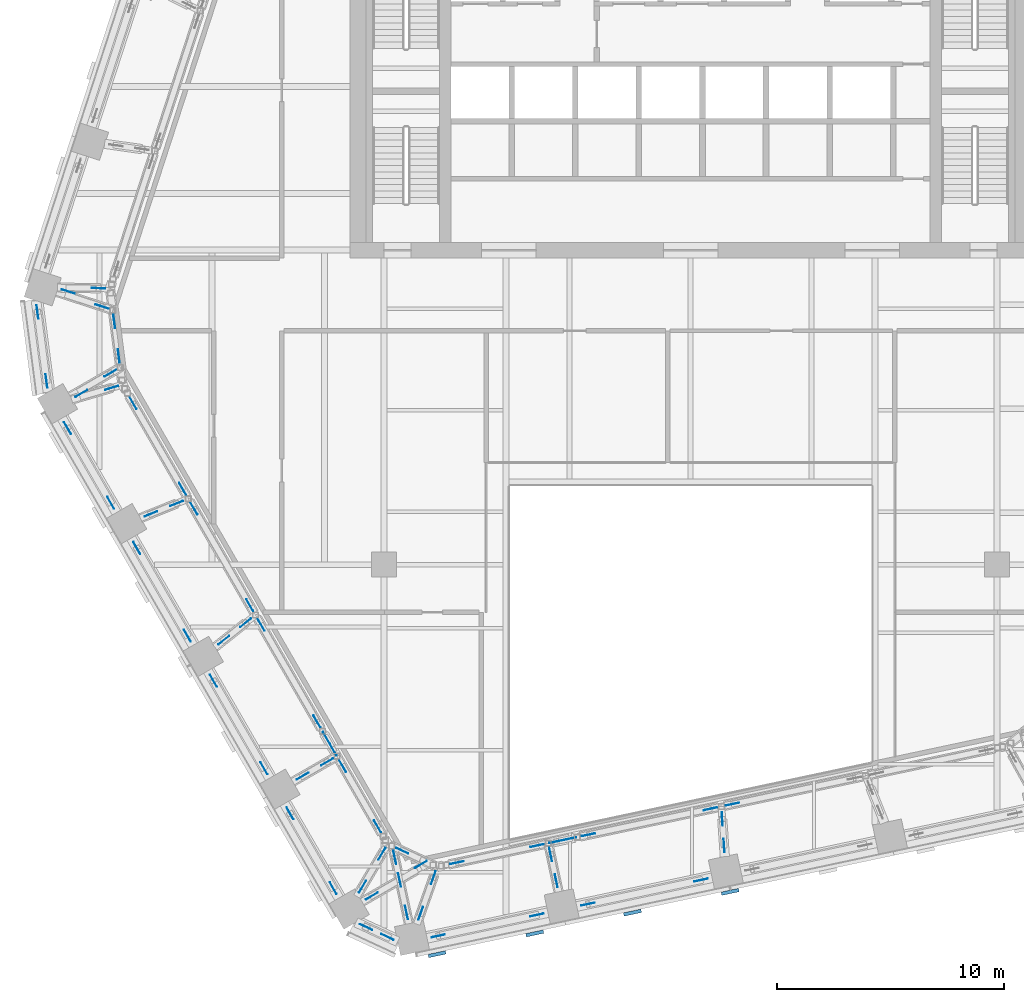
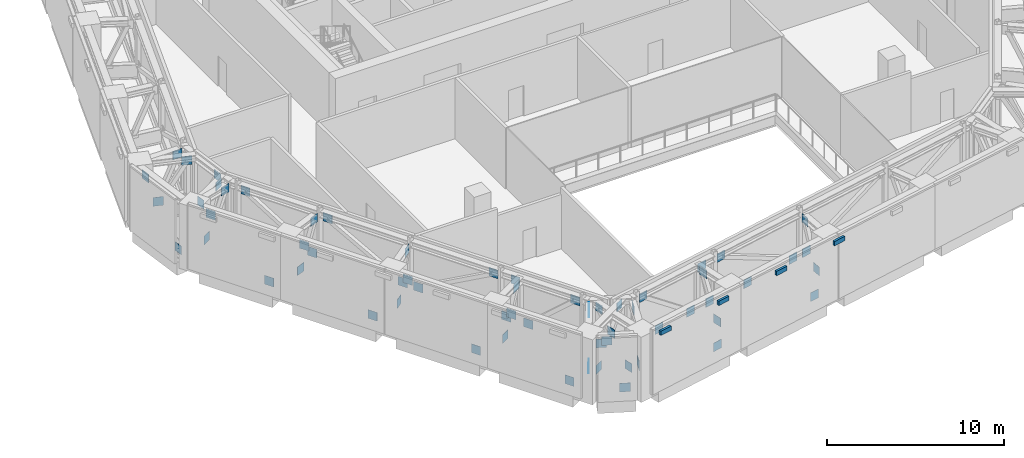
# One storey, part 20 of 26: 65 discrete accessories.
"""IFC4 building model written with IfcOpenShell, lengths in metres."""

import ifcopenshell
import ifcopenshell.guid

model = None  # the IFC model being written
_history = None  # IfcOwnerHistory: only IFC2X3 demands one
_inside = {}  # id of a spatial element -> (the spatial element, [elements in it])
_under = {}  # id of a project, library or spatial element -> (it, [spatial elements below it])
_declared = {}  # id of a project -> (the project, [libraries it declares])
_typed = {}  # id of a type object -> (the type object, [elements of that type])
_made_of = {}  # id of a material, layer set ... -> (it, [elements and type objects made of it])


def new_model(schema):
    """Start an empty IFC model of exactly this schema.

    Asked for "IFC4X3", IfcOpenShell would pick the latest addendum, in which some entities
    have other attributes; the version numbers below select the first issue.
    IFC2X3 requires an IfcOwnerHistory on every rooted entity: one is made here for all.
    """
    global model, _history
    if schema == "IFC4X3":
        model = ifcopenshell.file(schema_version=(4, 3, 0, 0))
    else:
        model = ifcopenshell.file(schema=schema)
    _inside.clear()
    _under.clear()
    _declared.clear()
    _typed.clear()
    _made_of.clear()
    _history = None
    if model.schema == "IFC2X3":
        org = make("IfcOrganization", Name="unknown")
        user = make(
            "IfcPersonAndOrganization",
            ThePerson=make("IfcPerson", FamilyName="unknown"),
            TheOrganization=org,
        )
        app = make(
            "IfcApplication",
            ApplicationDeveloper=org,
            Version="unknown",
            ApplicationFullName="unknown",
            ApplicationIdentifier="unknown",
        )
        _history = make(
            "IfcOwnerHistory",
            OwningUser=user,
            OwningApplication=app,
            ChangeAction="ADDED",
            CreationDate=0,
        )
    return model


def make(cls, **values):
    """One entity of the class cls with the attributes given. An attribute that is None is left unset."""
    return model.create_entity(
        cls, **{name: value for name, value in values.items() if value is not None}
    )


def rooted(cls, **values):
    """An entity with a GlobalId (a new one), such as an element, a storey or a relation."""
    return make(cls, GlobalId=ifcopenshell.guid.new(), OwnerHistory=_history, **values)


def si_unit(unit_type, name, prefix=None):
    """IfcSIUnit, for example si_unit("LENGTHUNIT", "METRE", prefix="MILLI")."""
    return make("IfcSIUnit", UnitType=unit_type, Prefix=prefix, Name=name)


def assignment(units):
    """IfcUnitAssignment: the units of a project."""
    return None if units is None else make("IfcUnitAssignment", Units=units)


def point(xyz):
    """IfcCartesianPoint."""
    return None if xyz is None else make("IfcCartesianPoint", Coordinates=xyz)


def direction(xyz):
    """IfcDirection."""
    return None if xyz is None else make("IfcDirection", DirectionRatios=xyz)


def frame(location, z_axis=None, x_axis=None):
    """IfcAxis2Placement3D, a coordinate frame: its origin and axes. An axis left out is left unset."""
    return make(
        "IfcAxis2Placement3D",
        Location=point(location),
        Axis=direction(z_axis),
        RefDirection=direction(x_axis),
    )


def frame_2d(location, x_axis=None):
    """IfcAxis2Placement2D, a coordinate frame in the plane: its origin and x axis."""
    return make(
        "IfcAxis2Placement2D", Location=point(location), RefDirection=direction(x_axis)
    )


def origin():
    """The frame at (0, 0, 0) with its axes left unset."""
    return frame((0.0, 0.0, 0.0))


def origin_2d():
    """The frame at (0, 0) in the plane with its x axis left unset."""
    return frame_2d((0.0, 0.0))


def place(relative_to, where):
    """IfcLocalPlacement: puts the frame where relative to a parent placement (None: the world)."""
    return make(
        "IfcLocalPlacement", PlacementRelTo=relative_to, RelativePlacement=where
    )


def context(
    kind, dimensions, precision=None, world=None, true_north=None, identifier=None
):
    """IfcGeometricRepresentationContext, for example the 3D "Model" context."""
    return make(
        "IfcGeometricRepresentationContext",
        ContextIdentifier=identifier,
        ContextType=kind,
        CoordinateSpaceDimension=dimensions,
        Precision=precision,
        WorldCoordinateSystem=world,
        TrueNorth=true_north,
    )


def subcontext(parent, identifier, kind, view, scale=None):
    """IfcGeometricRepresentationSubContext, for example "Body" below "Model"."""
    return make(
        "IfcGeometricRepresentationSubContext",
        ContextIdentifier=identifier,
        ContextType=kind,
        ParentContext=parent,
        TargetScale=scale,
        TargetView=view,
    )


def project(units=None, contexts=None):
    """IfcProject with its units and contexts."""
    return rooted(
        "IfcProject",
        Name="project",
        RepresentationContexts=contexts,
        UnitsInContext=assignment(units),
    )


def spatial(cls, under=None, at=None, **own):
    """A site, building, storey or space (cls), placed at a placement, below another one or the project."""
    s = rooted(cls, ObjectPlacement=at, **own)
    if under is not None:
        _under.setdefault(under.id(), (under, []))[1].append(s)
    return s


def profile(cls, at=None, kind="AREA", **sizes):
    """A parametric profile (cls). Its sizes go by their IFC names, for example OverallWidth=200.0."""
    return make(cls, ProfileType=kind, Position=at, **sizes)


def rectangle(**sizes):
    """IfcRectangleProfileDef."""
    return profile("IfcRectangleProfileDef", **sizes)


def extrude(swept, where, along, depth):
    """IfcExtrudedAreaSolid: the profile swept, set in the frame where, extruded along a direction by depth."""
    return make(
        "IfcExtrudedAreaSolid",
        SweptArea=swept,
        Position=where,
        ExtrudedDirection=direction(along),
        Depth=depth,
    )


def shape(context_of_items, identifier, shape_type, items):
    """IfcShapeRepresentation: the items that make up one representation, for example the "Body"."""
    return make(
        "IfcShapeRepresentation",
        ContextOfItems=context_of_items,
        RepresentationIdentifier=identifier,
        RepresentationType=shape_type,
        Items=items,
    )


def material(Name=None, Category=None):
    """IfcMaterial."""
    return make("IfcMaterial", Name=Name, Category=Category)


def made_of(thing, what):
    """Note that an element or type object is made of a material, layer set ...; save() writes the relation."""
    if what is not None:
        _made_of.setdefault(what.id(), (what, []))[1].append(thing)
    return thing


def type_object(cls, material=None, **own):
    """A type object (cls), such as IfcWallType, which elements share."""
    return made_of(rooted(cls, **own), material)


def element(
    cls,
    number,
    at=None,
    inside=None,
    cuts=None,
    type_object=None,
    material=None,
    context=None,
    identifier="Body",
    shape_type=None,
    held_by="IfcProductDefinitionShape",
    body=None,
    shapes=None,
    **own,
):
    """One element of the class cls, such as IfcWall. Its Tag is "e" and its number.

    at: its placement. inside: the storey or other place that contains it. cuts: it is an
    opening in that element (IfcRelVoidsElement). A single representation is given by context,
    identifier, shape_type and body (its items); several are given by shapes. held_by: the class
    of the entity that holds the representations. save() writes the other relations.
    """
    e = rooted(cls, Tag="e%d" % number, ObjectPlacement=at, **own)
    if body is not None:
        shapes = [shape(context, identifier, shape_type, body)]
    if shapes is not None:
        e.Representation = make(held_by, Representations=shapes)
    if inside is not None:
        _inside.setdefault(inside.id(), (inside, []))[1].append(e)
    if cuts is not None:
        rooted(
            "IfcRelVoidsElement", RelatingBuildingElement=cuts, RelatedOpeningElement=e
        )
    if type_object is not None:
        _typed.setdefault(type_object.id(), (type_object, []))[1].append(e)
    return made_of(e, material)


def aggregate(whole, parts):
    """IfcRelAggregates: a whole, such as a stair, and the parts it consists of."""
    return rooted("IfcRelAggregates", RelatingObject=whole, RelatedObjects=parts)


def save(model, path):
    """Write the relations noted so far, then the file.

    IfcRelAggregates (storeys below a building ...), IfcRelContainedInSpatialStructure (elements
    in a storey), IfcRelDefinesByType, IfcRelAssociatesMaterial and IfcRelDeclares: one each for
    every whole, place, type object, material and project.
    """
    for whole, parts in _under.values():
        aggregate(whole, parts)
    for where, things in _inside.values():
        rooted(
            "IfcRelContainedInSpatialStructure",
            RelatedElements=things,
            RelatingStructure=where,
        )
    for kind, things in _typed.values():
        rooted("IfcRelDefinesByType", RelatedObjects=things, RelatingType=kind)
    for what, things in _made_of.values():
        rooted("IfcRelAssociatesMaterial", RelatedObjects=things, RelatingMaterial=what)
    for by, libraries in _declared.values():
        rooted("IfcRelDeclares", RelatingContext=by, RelatedDefinitions=libraries)
    model.write(path)


model = new_model("IFC4")

# Units and contexts
model_context = context("Model", 3, precision=1e-05, world=origin(), true_north=direction((0.0, 1.0)))
body_context = subcontext(model_context, "Body", "Model", "MODEL_VIEW")
ifc_project = project(units=[si_unit("LENGTHUNIT", "METRE"), si_unit("AREAUNIT", "SQUARE_METRE"), si_unit("VOLUMEUNIT", "CUBIC_METRE"), si_unit("PLANEANGLEUNIT", "RADIAN"), si_unit("MASSUNIT", "GRAM", prefix="KILO")], contexts=[model_context])

# Site, building, storey
site_placement = place(None, origin())
site = spatial("IfcSite", under=ifc_project, at=site_placement, CompositionType="ELEMENT")
building_placement = place(site_placement, origin())
building = spatial("IfcBuilding", under=site, at=building_placement, Name="Isthmus Gate Tower", CompositionType="ELEMENT")
storey_placement = place(building_placement, frame((0.0, 0.0, 207.300048828125)))
storey = spatial("IfcBuildingStorey", under=building, at=storey_placement, Name="L52", CompositionType="ELEMENT", Elevation=207.300048828125)

# Discrete accessories
ifc_material_1 = material(Name="Structural steel ASTM A572 Gr 50, white paint system", Category="steel")
discrete_accessory_type_1 = type_object("IfcDiscreteAccessoryType", Name="FIN BRACKET 784 X 150 X 300", PredefinedType="BRACKET", material=ifc_material_1)
for number, where, z_axis, x_axis, name in (
    (1, (-11.164306640625, -30.654296875, 3.94970703125), (0.0, 0.0, 1.0), (0.207911690818, -0.978147600734, 0.0), "FIN BRACKET"),
    (2, (-6.860595703125, -29.739501953125, 3.94970703125), (0.0, 0.0, 1.0), (0.207911690818, -0.978147600734, 0.0), "FIN BRACKET"),
    (3, (-2.556640625, -28.82470703125, 3.94970703125), (0.0, 0.0, 1.0), (0.207911690818, -0.978147600734, 0.0), "FIN BRACKET"),
    (4, (1.7470703125, -27.90966796875, 3.94970703125), (0.0, 0.0, 1.0), (0.207911690818, -0.978147600734, 0.0), "FIN BRACKET"),
):
    element("IfcDiscreteAccessory", number, at=place(storey_placement, frame(where, z_axis=z_axis, x_axis=x_axis)), inside=storey, type_object=discrete_accessory_type_1, Name=name, PredefinedType="BRACKET", context=body_context, shape_type="SweptSolid", body=[
        extrude(rectangle(XDim=0.14990234375, YDim=0.78369140625, at=origin_2d()), origin(), (0.0, 0.0, 1.0), 0.300048828125),
    ])
ifc_material_2 = material(Name="Structural steel ASTM A992 Gr 50", Category="steel")
discrete_accessory_type_2 = type_object("IfcDiscreteAccessoryType", Name="GUSSET PLATE 600 X 20", PredefinedType="USERDEFINED", material=ifc_material_2)
for number, where, z_axis, x_axis, name in (
    (5, (0.461181640625, -27.390869140625, 0.163330078125), (0.0, 0.0, 1.0), (-0.978147600734, -0.207911690818, 0.0), "GUSSET PLATE"),
    (6, (-4.518310546875, -28.44921875, 3.4365234375), (0.0, 0.0, 1.0), (-0.978147600734, -0.207911690818, 0.0), "GUSSET PLATE"),
    (7, (-6.76806640625, -28.927490234375, 0.163330078125), (0.0, 0.0, 1.0), (-0.978147600734, -0.207911690818, 0.0), "GUSSET PLATE"),
    (8, (-11.11181640625, -29.850830078125, 3.4365234375), (0.0, 0.0, 1.0), (-0.978147600734, -0.207911690818, 0.0), "GUSSET PLATE"),
    (9, (-13.35205078125, -29.892333984375, 0.163330078125), (0.0, 0.0, 1.0), (-0.907256261367, 0.420578264073, 0.0), "GUSSET PLATE"),
    (10, (-14.28466796875, -29.460205078125, 3.4365234375), (0.0, 0.0, 1.0), (-0.907256261367, 0.420578264073, 0.0), "GUSSET PLATE"),
    (11, (-15.734619140625, -27.74658203125, 0.163330078125), (0.0, 0.0, 1.0), (-0.5, 0.866025403784, 0.0), "GUSSET PLATE"),
    (12, (-17.634765625, -24.45556640625, 3.4365234375), (0.0, 0.0, 1.0), (-0.5, 0.866025403784, 0.0), "GUSSET PLATE"),
    (13, (-18.78466796875, -22.4638671875, 0.163330078125), (0.0, 0.0, 1.0), (-0.5, 0.866025403784, 0.0), "GUSSET PLATE"),
    (14, (-21.009765625, -18.60986328125, 3.4365234375), (0.0, 0.0, 1.0), (-0.5, 0.866025403784, 0.0), "GUSSET PLATE"),
    (15, (-22.159912109375, -16.617919921875, 0.163330078125), (0.0, 0.0, 1.0), (-0.5, 0.866025403784, 0.0), "GUSSET PLATE"),
    (16, (-24.385009765625, -12.76416015625, 3.4365234375), (0.0, 0.0, 1.0), (-0.5, 0.866025403784, 0.0), "GUSSET PLATE"),
    (17, (-25.534912109375, -10.772216796875, 0.163330078125), (0.0, 0.0, 1.0), (-0.5, 0.866025403784, 0.0), "GUSSET PLATE"),
    (18, (-27.43505859375, -7.481201171875, 3.4365234375), (0.0, 0.0, 1.0), (-0.5, 0.866025403784, 0.0), "GUSSET PLATE"),
    (19, (-28.363525390625, -5.40576171875, 0.163330078125), (0.0, 0.0, 1.0), (-0.129164534, 0.991623175988, 0.0), "GUSSET PLATE"),
    (20, (-28.75927734375, -2.3681640625, 3.4365234375), (0.0, 0.0, 1.0), (-0.129164534, 0.991623175988, 0.0), "GUSSET PLATE"),
    (21, (-27.40966796875, -1.47119140625, 0.680908203125), (0.0, 0.0, 1.0), (0.951056516295, -0.309016994375, 0.0), "GUSSET PLATE"),
    (22, (-25.91845703125, -2.133056640625, 3.384033203125), (0.0, 0.0, 1.0), (0.951056516295, -0.309016994375, 0.0), "GUSSET PLATE"),
    (23, (-26.830322265625, -5.96142578125, 0.680908203125), (0.0, 0.0, 1.0), (0.866025403784, 0.5, 0.0), "GUSSET PLATE"),
    (24, (-25.546875, -5.063232421875, 3.384033203125), (0.0, 0.0, 1.0), (0.866025403784, 0.5, 0.0), "GUSSET PLATE"),
    (25, (-23.763671875, -11.262451171875, 0.680908203125), (0.0, 0.0, 1.0), (0.927229451778, 0.374493716576, 0.0), "GUSSET PLATE"),
    (26, (-22.629638671875, -10.804443359375, 3.384033203125), (0.0, 0.0, 1.0), (0.927229451778, 0.374493716576, 0.0), "GUSSET PLATE"),
    (27, (-20.554443359375, -16.823486328125, 0.680908203125), (0.0, 0.0, 1.0), (0.782984869357, 0.622040749757, 0.0), "GUSSET PLATE"),
    (28, (-19.5947265625, -16.06103515625, 3.384033203125), (0.0, 0.0, 1.0), (0.782984869357, 0.622040749757, 0.0), "GUSSET PLATE"),
    (29, (-17.083984375, -22.809814453125, 0.680908203125), (0.0, 0.0, 1.0), (0.866025403784, 0.5, 0.0), "GUSSET PLATE"),
    (30, (-16.00146484375, -22.184814453125, 3.384033203125), (0.0, 0.0, 1.0), (0.866025403784, 0.5, 0.0), "GUSSET PLATE"),
    (31, (-14.033935546875, -28.092529296875, 0.680908203125), (0.0, 0.0, 1.0), (0.866025403784, 0.5, 0.0), "GUSSET PLATE"),
    (32, (-11.875732421875, -26.7041015625, 3.384033203125), (0.0, 0.0, 1.0), (0.866025403784, 0.5, 0.0), "GUSSET PLATE"),
    (33, (-12.507080078125, -28.818359375, 0.680908203125), (0.0, 0.0, 1.0), (-0.207911690562, 0.978147600788, 0.0), "GUSSET PLATE"),
    (34, (-12.811279296875, -27.38720703125, 2.272216796875), (0.0, 0.0, 1.0), (-0.207911690562, 0.978147600788, 0.0), "GUSSET PLATE"),
    (35, (-13.023681640625, -26.387451171875, 3.384033203125), (0.0, 0.0, 1.0), (-0.207911690562, 0.978147600788, 0.0), "GUSSET PLATE"),
    (36, (-5.91357421875, -27.416748046875, 0.680908203125), (0.0, 0.0, 1.0), (-0.207911690818, 0.978147600734, 0.0), "GUSSET PLATE"),
    (37, (-6.159912109375, -26.25830078125, 3.384033203125), (0.0, 0.0, 1.0), (-0.207911690818, 0.978147600734, 0.0), "GUSSET PLATE"),
    (38, (1.4765625, -25.857666015625, 0.680908203125), (0.0, 0.0, 1.0), (-0.068116636732, 0.997677364582, 0.0), "GUSSET PLATE"),
    (39, (1.397705078125, -24.702880859375, 3.384033203125), (0.0, 0.0, 1.0), (-0.068116636732, 0.997677364582, 0.0), "GUSSET PLATE"),
    (40, (-11.884765625, -28.85888671875, 0.680908203125), (0.0, 0.0, 1.0), (0.333158401053, 0.942870871227, 0.0), "GUSSET PLATE"),
    (41, (-11.327392578125, -27.281494140625, 3.384033203125), (0.0, 0.0, 1.0), (0.333158401053, 0.942870871227, 0.0), "GUSSET PLATE"),
    (42, (-14.444580078125, -27.677734375, 0.680908203125), (0.0, 0.0, 1.0), (0.508878006088, 0.860838646274, 0.0), "GUSSET PLATE"),
    (43, (-13.590087890625, -26.232177734375, 3.384033203125), (0.0, 0.0, 1.0), (0.508878006088, 0.860838646274, 0.0), "GUSSET PLATE"),
    (44, (-25.494873046875, -5.713134765625, 3.384033203125), (0.0, 0.0, 1.0), (0.959834591956, 0.280566491379, 0.0), "GUSSET PLATE"),
    (45, (-26.067138671875, -1.3251953125, 3.384033203125), (0.0, 0.0, 1.0), (0.999859792338, -0.016745019133, 0.0), "GUSSET PLATE"),
    (46, (1.8486328125, -24.044677734375, 0.680908203125), (0.0, 0.0, 1.0), (0.978147600734, 0.207911690818, 0.0), "GUSSET PLATE"),
    (47, (0.870361328125, -24.252685546875, 0.680908203125), (0.0, 0.0, 1.0), (-0.978147600734, -0.207911690818, 0.0), "GUSSET PLATE"),
    (48, (-4.50146484375, -25.39453125, 3.384033203125), (0.0, 0.0, 1.0), (-0.978147600734, -0.207911690818, 0.0), "GUSSET PLATE"),
    (49, (-5.333984375, -25.571533203125, 0.680908203125), (0.0, 0.0, 1.0), (-0.978147600734, -0.207911690818, 0.0), "GUSSET PLATE"),
    (50, (-5.9208984375, -25.6962890625, 3.384033203125), (0.0, 0.0, 1.0), (-0.978147600734, -0.207911690818, 0.0), "GUSSET PLATE"),
    (51, (-6.753173828125, -25.873046875, 0.680908203125), (0.0, 0.0, 1.0), (-0.978147600734, -0.207911690818, 0.0), "GUSSET PLATE"),
    (52, (-10.280517578125, -26.622802734375, 3.384033203125), (0.0, 0.0, 1.0), (-0.978147600734, -0.207911690818, 0.0), "GUSSET PLATE"),
    (53, (-12.700439453125, -26.09619140625, 0.680908203125), (0.0, 0.0, 1.0), (0.907256261367, -0.420578264073, 0.0), "GUSSET PLATE"),
    (54, (-15.318115234375, -22.3681640625, 0.680908203125), (0.0, 0.0, 1.0), (0.5, -0.866025403784, 0.0), "GUSSET PLATE"),
    (55, (-13.78564453125, -25.0224609375, 3.384033203125), (0.0, 0.0, 1.0), (0.5, -0.866025403784, 0.0), "GUSSET PLATE"),
    (56, (-16.035888671875, -21.124755859375, 0.680908203125), (0.0, 0.0, 1.0), (0.5, -0.866025403784, 0.0), "GUSSET PLATE"),
    (57, (-15.736083984375, -21.64453125, 3.384033203125), (0.0, 0.0, 1.0), (0.5, -0.866025403784, 0.0), "GUSSET PLATE"),
    (58, (-18.9091796875, -16.148193359375, 0.680908203125), (0.0, 0.0, 1.0), (0.5, -0.866025403784, 0.0), "GUSSET PLATE"),
    (59, (-16.45361328125, -20.4013671875, 3.384033203125), (0.0, 0.0, 1.0), (0.5, -0.866025403784, 0.0), "GUSSET PLATE"),
    (60, (-19.4091796875, -15.2822265625, 0.680908203125), (0.0, 0.0, 1.0), (-0.5, 0.866025403784, 0.0), "GUSSET PLATE"),
    (61, (-21.86474609375, -11.029052734375, 3.384033203125), (0.0, 0.0, 1.0), (-0.5, 0.866025403784, 0.0), "GUSSET PLATE"),
    (62, (-22.36474609375, -10.1630859375, 0.680908203125), (0.0, 0.0, 1.0), (-0.5, 0.866025403784, 0.0), "GUSSET PLATE"),
    (63, (-24.544677734375, -6.38720703125, 3.384033203125), (0.0, 0.0, 1.0), (-0.5, 0.866025403784, 0.0), "GUSSET PLATE"),
    (64, (-25.37841796875, -2.783447265625, 0.680908203125), (0.0, 0.0, 1.0), (0.129164534, -0.991623175988, 0.0), "GUSSET PLATE"),
    (65, (-25.178466796875, -4.3173828125, 3.384033203125), (0.0, 0.0, 1.0), (0.129164534, -0.991623175988, 0.0), "GUSSET PLATE"),
):
    element("IfcDiscreteAccessory", number, at=place(storey_placement, frame(where, z_axis=z_axis, x_axis=x_axis)), inside=storey, type_object=discrete_accessory_type_2, Name=name, ObjectType="GUSSET PLATE", PredefinedType="USERDEFINED", context=body_context, shape_type="SweptSolid", body=[
        extrude(rectangle(XDim=0.60009765625, YDim=0.02001953125, at=origin_2d()), origin(), (0.0, 0.0, 1.0), 0.60009765625),
    ])

save(model, "model.ifc")
